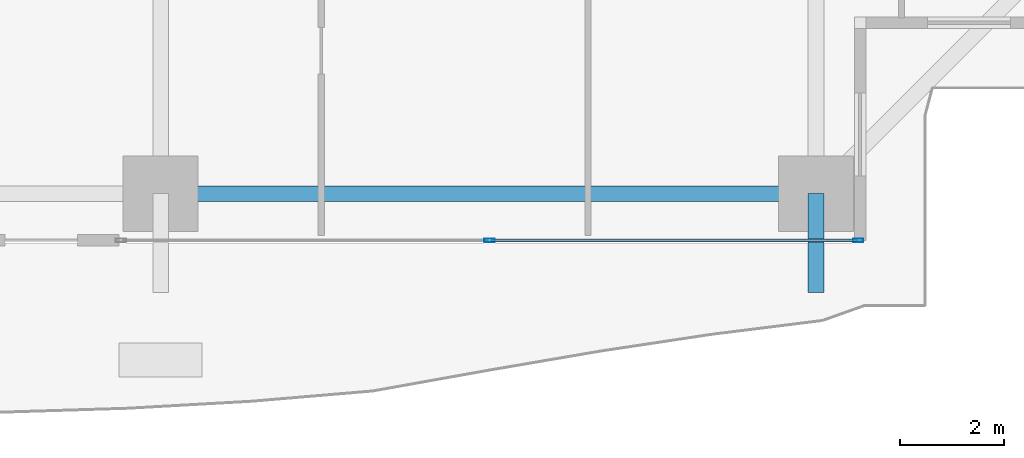
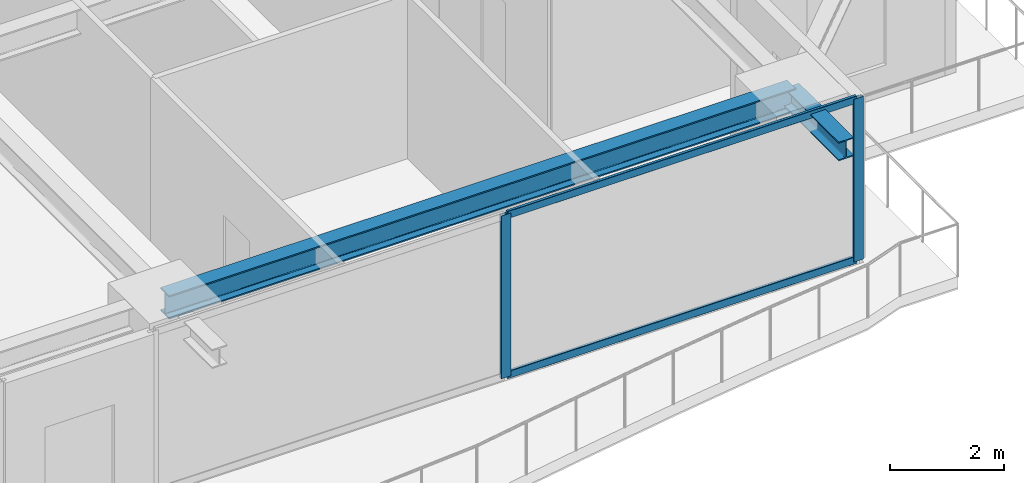
# One storey, part 11 of 39: 4 members, 2 beams, 1 element without a shape of its own.
"""IFC4 building model written with IfcOpenShell, lengths in metres."""

import ifcopenshell
import ifcopenshell.guid

model = None  # the IFC model being written
_history = None  # IfcOwnerHistory: only IFC2X3 demands one
_inside = {}  # id of a spatial element -> (the spatial element, [elements in it])
_under = {}  # id of a project, library or spatial element -> (it, [spatial elements below it])
_declared = {}  # id of a project -> (the project, [libraries it declares])
_typed = {}  # id of a type object -> (the type object, [elements of that type])
_made_of = {}  # id of a material, layer set ... -> (it, [elements and type objects made of it])


def new_model(schema):
    """Start an empty IFC model of exactly this schema.

    Asked for "IFC4X3", IfcOpenShell would pick the latest addendum, in which some entities
    have other attributes; the version numbers below select the first issue.
    IFC2X3 requires an IfcOwnerHistory on every rooted entity: one is made here for all.
    """
    global model, _history
    if schema == "IFC4X3":
        model = ifcopenshell.file(schema_version=(4, 3, 0, 0))
    else:
        model = ifcopenshell.file(schema=schema)
    _inside.clear()
    _under.clear()
    _declared.clear()
    _typed.clear()
    _made_of.clear()
    _history = None
    if model.schema == "IFC2X3":
        org = make("IfcOrganization", Name="unknown")
        user = make(
            "IfcPersonAndOrganization",
            ThePerson=make("IfcPerson", FamilyName="unknown"),
            TheOrganization=org,
        )
        app = make(
            "IfcApplication",
            ApplicationDeveloper=org,
            Version="unknown",
            ApplicationFullName="unknown",
            ApplicationIdentifier="unknown",
        )
        _history = make(
            "IfcOwnerHistory",
            OwningUser=user,
            OwningApplication=app,
            ChangeAction="ADDED",
            CreationDate=0,
        )
    return model


def make(cls, **values):
    """One entity of the class cls with the attributes given. An attribute that is None is left unset."""
    return model.create_entity(
        cls, **{name: value for name, value in values.items() if value is not None}
    )


def rooted(cls, **values):
    """An entity with a GlobalId (a new one), such as an element, a storey or a relation."""
    return make(cls, GlobalId=ifcopenshell.guid.new(), OwnerHistory=_history, **values)


def si_unit(unit_type, name, prefix=None):
    """IfcSIUnit, for example si_unit("LENGTHUNIT", "METRE", prefix="MILLI")."""
    return make("IfcSIUnit", UnitType=unit_type, Prefix=prefix, Name=name)


def assignment(units):
    """IfcUnitAssignment: the units of a project."""
    return None if units is None else make("IfcUnitAssignment", Units=units)


def point(xyz):
    """IfcCartesianPoint."""
    return None if xyz is None else make("IfcCartesianPoint", Coordinates=xyz)


def direction(xyz):
    """IfcDirection."""
    return None if xyz is None else make("IfcDirection", DirectionRatios=xyz)


def frame(location, z_axis=None, x_axis=None):
    """IfcAxis2Placement3D, a coordinate frame: its origin and axes. An axis left out is left unset."""
    return make(
        "IfcAxis2Placement3D",
        Location=point(location),
        Axis=direction(z_axis),
        RefDirection=direction(x_axis),
    )


def frame_2d(location, x_axis=None):
    """IfcAxis2Placement2D, a coordinate frame in the plane: its origin and x axis."""
    return make(
        "IfcAxis2Placement2D", Location=point(location), RefDirection=direction(x_axis)
    )


def origin():
    """The frame at (0, 0, 0) with its axes left unset."""
    return frame((0.0, 0.0, 0.0))


def origin_2d():
    """The frame at (0, 0) in the plane with its x axis left unset."""
    return frame_2d((0.0, 0.0))


def place(relative_to, where):
    """IfcLocalPlacement: puts the frame where relative to a parent placement (None: the world)."""
    return make(
        "IfcLocalPlacement", PlacementRelTo=relative_to, RelativePlacement=where
    )


def context(
    kind, dimensions, precision=None, world=None, true_north=None, identifier=None
):
    """IfcGeometricRepresentationContext, for example the 3D "Model" context."""
    return make(
        "IfcGeometricRepresentationContext",
        ContextIdentifier=identifier,
        ContextType=kind,
        CoordinateSpaceDimension=dimensions,
        Precision=precision,
        WorldCoordinateSystem=world,
        TrueNorth=true_north,
    )


def subcontext(parent, identifier, kind, view, scale=None):
    """IfcGeometricRepresentationSubContext, for example "Body" below "Model"."""
    return make(
        "IfcGeometricRepresentationSubContext",
        ContextIdentifier=identifier,
        ContextType=kind,
        ParentContext=parent,
        TargetScale=scale,
        TargetView=view,
    )


def project(units=None, contexts=None):
    """IfcProject with its units and contexts."""
    return rooted(
        "IfcProject",
        Name="project",
        RepresentationContexts=contexts,
        UnitsInContext=assignment(units),
    )


def spatial(cls, under=None, at=None, **own):
    """A site, building, storey or space (cls), placed at a placement, below another one or the project."""
    s = rooted(cls, ObjectPlacement=at, **own)
    if under is not None:
        _under.setdefault(under.id(), (under, []))[1].append(s)
    return s


def profile(cls, at=None, kind="AREA", **sizes):
    """A parametric profile (cls). Its sizes go by their IFC names, for example OverallWidth=200.0."""
    return make(cls, ProfileType=kind, Position=at, **sizes)


def hollow_rectangle(**sizes):
    """IfcRectangleHollowProfileDef."""
    return profile("IfcRectangleHollowProfileDef", **sizes)


def i_section(**sizes):
    """IfcIShapeProfileDef."""
    return profile("IfcIShapeProfileDef", **sizes)


def extrude(swept, where, along, depth):
    """IfcExtrudedAreaSolid: the profile swept, set in the frame where, extruded along a direction by depth."""
    return make(
        "IfcExtrudedAreaSolid",
        SweptArea=swept,
        Position=where,
        ExtrudedDirection=direction(along),
        Depth=depth,
    )


def shape(context_of_items, identifier, shape_type, items):
    """IfcShapeRepresentation: the items that make up one representation, for example the "Body"."""
    return make(
        "IfcShapeRepresentation",
        ContextOfItems=context_of_items,
        RepresentationIdentifier=identifier,
        RepresentationType=shape_type,
        Items=items,
    )


def source(mapping_origin, context_of_items, identifier, shape_type, items):
    """IfcRepresentationMap: a shape defined once, which mapped items show again and again."""
    return make(
        "IfcRepresentationMap",
        MappingOrigin=mapping_origin,
        MappedRepresentation=shape(context_of_items, identifier, shape_type, items),
    )


def transform(
    local_origin,
    x_axis=None,
    y_axis=None,
    z_axis=None,
    scale=None,
    scale2=None,
    scale3=None,
    uniform=True,
):
    """IfcCartesianTransformationOperator3D, or its non-uniform kind. x_axis, y_axis, z_axis: its Axis1, 2, 3."""
    if uniform:
        return make(
            "IfcCartesianTransformationOperator3D",
            Axis1=direction(x_axis),
            Axis2=direction(y_axis),
            LocalOrigin=point(local_origin),
            Scale=scale,
            Axis3=direction(z_axis),
        )
    return make(
        "IfcCartesianTransformationOperator3DnonUniform",
        Axis1=direction(x_axis),
        Axis2=direction(y_axis),
        LocalOrigin=point(local_origin),
        Scale=scale,
        Axis3=direction(z_axis),
        Scale2=scale2,
        Scale3=scale3,
    )


def mapped(mapping_source, mapping_target):
    """IfcMappedItem: shows the shape of a source again, moved by a transform."""
    return make(
        "IfcMappedItem", MappingSource=mapping_source, MappingTarget=mapping_target
    )


def material(Name=None, Category=None):
    """IfcMaterial."""
    return make("IfcMaterial", Name=Name, Category=Category)


def layer(
    of_material, thickness, ventilated=None, Name=None, Category=None, Priority=None
):
    """IfcMaterialLayer: one layer of a wall or slab, of a material (None: an air gap)."""
    return make(
        "IfcMaterialLayer",
        Material=of_material,
        LayerThickness=thickness,
        IsVentilated=ventilated,
        Name=Name,
        Category=Category,
        Priority=Priority,
    )


def layer_set(layers, Name=None):
    """IfcMaterialLayerSet."""
    return make("IfcMaterialLayerSet", MaterialLayers=layers, LayerSetName=Name)


def material_profile(
    of_material, cross_section, Name=None, Category=None, Priority=None
):
    """IfcMaterialProfile: a cross section and its material."""
    return make(
        "IfcMaterialProfile",
        Name=Name,
        Material=of_material,
        Profile=cross_section,
        Priority=Priority,
        Category=Category,
    )


def profile_set(profiles, Name=None, composite=None):
    """IfcMaterialProfileSet."""
    return make(
        "IfcMaterialProfileSet",
        Name=Name,
        MaterialProfiles=profiles,
        CompositeProfile=composite,
    )


def made_of(thing, what):
    """Note that an element or type object is made of a material, layer set ...; save() writes the relation."""
    if what is not None:
        _made_of.setdefault(what.id(), (what, []))[1].append(thing)
    return thing


def type_object(cls, material=None, **own):
    """A type object (cls), such as IfcWallType, which elements share."""
    return made_of(rooted(cls, **own), material)


def element(
    cls,
    number,
    at=None,
    inside=None,
    cuts=None,
    type_object=None,
    material=None,
    context=None,
    identifier="Body",
    shape_type=None,
    held_by="IfcProductDefinitionShape",
    body=None,
    shapes=None,
    **own,
):
    """One element of the class cls, such as IfcWall. Its Tag is "e" and its number.

    at: its placement. inside: the storey or other place that contains it. cuts: it is an
    opening in that element (IfcRelVoidsElement). A single representation is given by context,
    identifier, shape_type and body (its items); several are given by shapes. held_by: the class
    of the entity that holds the representations. save() writes the other relations.
    """
    e = rooted(cls, Tag="e%d" % number, ObjectPlacement=at, **own)
    if body is not None:
        shapes = [shape(context, identifier, shape_type, body)]
    if shapes is not None:
        e.Representation = make(held_by, Representations=shapes)
    if inside is not None:
        _inside.setdefault(inside.id(), (inside, []))[1].append(e)
    if cuts is not None:
        rooted(
            "IfcRelVoidsElement", RelatingBuildingElement=cuts, RelatedOpeningElement=e
        )
    if type_object is not None:
        _typed.setdefault(type_object.id(), (type_object, []))[1].append(e)
    return made_of(e, material)


def aggregate(whole, parts):
    """IfcRelAggregates: a whole, such as a stair, and the parts it consists of."""
    return rooted("IfcRelAggregates", RelatingObject=whole, RelatedObjects=parts)


def save(model, path):
    """Write the relations noted so far, then the file.

    IfcRelAggregates (storeys below a building ...), IfcRelContainedInSpatialStructure (elements
    in a storey), IfcRelDefinesByType, IfcRelAssociatesMaterial and IfcRelDeclares: one each for
    every whole, place, type object, material and project.
    """
    for whole, parts in _under.values():
        aggregate(whole, parts)
    for where, things in _inside.values():
        rooted(
            "IfcRelContainedInSpatialStructure",
            RelatedElements=things,
            RelatingStructure=where,
        )
    for kind, things in _typed.values():
        rooted("IfcRelDefinesByType", RelatedObjects=things, RelatingType=kind)
    for what, things in _made_of.values():
        rooted("IfcRelAssociatesMaterial", RelatedObjects=things, RelatingMaterial=what)
    for by, libraries in _declared.values():
        rooted("IfcRelDeclares", RelatingContext=by, RelatedDefinitions=libraries)
    model.write(path)


model = new_model("IFC4")

# Units and contexts
model_context = context("Model", 3, precision=1e-05, world=origin(), true_north=direction((0.0, 1.0)))
body_context = subcontext(model_context, "Body", "Model", "MODEL_VIEW")
ifc_project = project(units=[si_unit("LENGTHUNIT", "METRE"), si_unit("AREAUNIT", "SQUARE_METRE"), si_unit("VOLUMEUNIT", "CUBIC_METRE"), si_unit("PLANEANGLEUNIT", "RADIAN"), si_unit("MASSUNIT", "GRAM", prefix="KILO")], contexts=[model_context])

# Site, building, storey
site_placement = place(None, origin())
site = spatial("IfcSite", under=ifc_project, at=site_placement, CompositionType="ELEMENT")
building_placement = place(site_placement, origin())
building = spatial("IfcBuilding", under=site, at=building_placement, Name="Serunith Strait Residences", CompositionType="ELEMENT")
storey_placement = place(building_placement, frame((0.0, 0.0, 49.199951171875)))
storey = spatial("IfcBuildingStorey", under=building, at=storey_placement, Name="L11", CompositionType="ELEMENT", Elevation=49.199951171875)

# Beams
ifc_material_1 = material(Name="Steel S355J2", Category="steel")
ifc_material_profile_1 = material_profile(ifc_material_1, i_section(OverallWidth=0.300048828125, OverallDepth=0.5, WebThickness=0.014404296875, FlangeThickness=0.028076171875, FilletRadius=0.027099609375, at=origin_2d()), Name="HEB 500")
ifc_profile_set_1 = profile_set([ifc_material_profile_1], Name="Steel S355J2")
beam_type_1 = type_object("IfcBeamType", Name="BM-HEB500", PredefinedType="BEAM", material=ifc_profile_set_1)
shared_shape_1 = source(origin(), body_context, "Body", "SweptSolid", [
    extrude(i_section(OverallWidth=0.300048828125, OverallDepth=0.5, WebThickness=0.014404296875, FlangeThickness=0.028076171875, FilletRadius=0.027099609375, at=origin_2d()), origin(), (0.0, 0.0, 1.0), 12.650146484375),
])
beam_1_placement = place(storey_placement, frame((36.89990234375, 1.10009765625, 3.237060546875), z_axis=(1.0, 0.0, 0.0), x_axis=(0.0, 1.0, 0.0)))
element("IfcBeam", 1, at=beam_1_placement, inside=storey, type_object=beam_type_1, Name="L11 Perimeter Ring Beam 03", PredefinedType="BEAM", context=body_context, shape_type="MappedRepresentation", body=[
    mapped(shared_shape_1, transform((0.0, 0.0, 0.0), scale=1.0)),
])
ifc_material_profile_2 = material_profile(ifc_material_1, i_section(OverallWidth=0.300048828125, OverallDepth=0.39990234375, WebThickness=0.013427734375, FlangeThickness=0.02392578125, FilletRadius=0.027099609375, at=origin_2d()), Name="HEB 400")
ifc_profile_set_2 = profile_set([ifc_material_profile_2], Name="Steel S355J2")
beam_type_2 = type_object("IfcBeamType", Name="BM-HEB400", PredefinedType="BEAM", material=ifc_profile_set_2)
shared_shape_2 = source(origin(), body_context, "Body", "SweptSolid", [
    extrude(i_section(OverallWidth=0.300048828125, OverallDepth=0.39990234375, WebThickness=0.013427734375, FlangeThickness=0.02392578125, FilletRadius=0.027099609375, at=origin_2d()), origin(), (0.0, 0.0, 1.0), 1.91015625),
])
beam_2_placement = place(storey_placement, frame((49.550048828125, 1.10009765625, 3.257080078125), z_axis=(0.0, -1.0, 0.0), x_axis=(1.0, 0.0, 0.0)))
element("IfcBeam", 2, at=beam_2_placement, inside=storey, type_object=beam_type_2, Name="L12 Cantilevered Balcony Rib TC-S4", PredefinedType="BEAM", context=body_context, shape_type="MappedRepresentation", body=[
    mapped(shared_shape_2, transform((0.0, 0.0, 0.0), scale=1.0)),
])

# Curtain wall, members
ifc_material_2 = material(Name="Pale-Champagne Anodised Aluminium", Category="aluminium")
ifc_layer = layer(ifc_material_2, 0.199951171875, Name="Pale-Champagne Anodised Aluminium")
ifc_layer_set = layer_set([ifc_layer], Name="Pale-Champagne Anodised Aluminium")
curtain_wall_type = type_object("IfcCurtainWallType", Name="CW-SYS1", PredefinedType="NOTDEFINED", material=ifc_layer_set)
curtain_wall_placement = place(storey_placement, origin())
curtain_wall = element("IfcCurtainWall", 3, at=curtain_wall_placement, inside=storey, type_object=curtain_wall_type, Name="L11 S Unitised Fritted Curtain Wall", PredefinedType="NOTDEFINED")
ifc_material_profile_3 = material_profile(ifc_material_2, hollow_rectangle(XDim=0.070068359375, YDim=0.199951171875, WallThickness=0.00390625, InnerFilletRadius=0.006103515625, OuterFilletRadius=0.010009765625, at=origin_2d()), Name="ALU 200x70x4")
ifc_profile_set_3 = profile_set([ifc_material_profile_3], Name="Pale-Champagne Anodised Aluminium")
member_type_1 = type_object("IfcMemberType", Name="CW-SYS1-MULL", PredefinedType="MULLION", material=ifc_profile_set_3)
shared_shape_3 = source(origin(), body_context, "Body", "SweptSolid", [
    extrude(hollow_rectangle(XDim=0.070068359375, YDim=0.199951171875, WallThickness=0.00390625, InnerFilletRadius=0.006103515625, OuterFilletRadius=0.010009765625, at=origin_2d()), origin(), (0.0, 0.0, 1.0), 3.47509765625),
])
member_1_placement = place(storey_placement, frame((43.25, 0.199951171875, 0.0), z_axis=(0.0, 0.0, 1.0), x_axis=(0.0, 1.0, 0.0)))
member_1 = element("IfcMember", 4, at=member_1_placement, type_object=member_type_1, Name="CW-1 mullion 2", PredefinedType="MULLION", context=body_context, shape_type="MappedRepresentation", body=[
    mapped(shared_shape_3, transform((0.0, 0.0, 0.0), scale=1.0)),
])
member_2_placement = place(storey_placement, frame((50.364990234375, 0.199951171875, 0.0), z_axis=(0.0, 0.0, 1.0), x_axis=(0.0, 1.0, 0.0)))
member_2 = element("IfcMember", 5, at=member_2_placement, type_object=member_type_1, Name="CW-1 mullion 3", PredefinedType="MULLION", context=body_context, shape_type="MappedRepresentation", body=[
    mapped(shared_shape_3, transform((0.0, 0.0, 0.0), scale=1.0)),
])
ifc_material_profile_4 = material_profile(ifc_material_2, hollow_rectangle(XDim=0.06005859375, YDim=0.159912109375, WallThickness=0.00341796875, InnerFilletRadius=0.00537109375, OuterFilletRadius=0.0087890625, at=origin_2d()), Name="ALU 160x60x3.5")
ifc_profile_set_4 = profile_set([ifc_material_profile_4], Name="Pale-Champagne Anodised Aluminium")
member_type_2 = type_object("IfcMemberType", Name="CW-SYS1-TRAN", PredefinedType="USERDEFINED", material=ifc_profile_set_4)
shared_shape_4 = source(origin(), body_context, "Body", "SweptSolid", [
    extrude(hollow_rectangle(XDim=0.06005859375, YDim=0.159912109375, WallThickness=0.00341796875, InnerFilletRadius=0.00537109375, OuterFilletRadius=0.0087890625, at=origin_2d()), origin(), (0.0, 0.0, 1.0), 7.045166015625),
])
member_3_placement = place(storey_placement, frame((43.284912109375, 0.199951171875, 0.030029296875), z_axis=(1.0, 0.0, 0.0), x_axis=(0.0, 1.0, 0.0)))
member_3 = element("IfcMember", 6, at=member_3_placement, type_object=member_type_2, Name="CW-1 transom 2.1", ObjectType="TRANSOM", PredefinedType="USERDEFINED", context=body_context, shape_type="MappedRepresentation", body=[
    mapped(shared_shape_4, transform((0.0, 0.0, 0.0), scale=1.0)),
])
member_4_placement = place(storey_placement, frame((43.284912109375, 0.199951171875, 3.445068359375), z_axis=(1.0, 0.0, 0.0), x_axis=(0.0, 1.0, 0.0)))
member_4 = element("IfcMember", 7, at=member_4_placement, type_object=member_type_2, Name="CW-1 transom 2.2", ObjectType="TRANSOM", PredefinedType="USERDEFINED", context=body_context, shape_type="MappedRepresentation", body=[
    mapped(shared_shape_4, transform((0.0, 0.0, 0.0), scale=1.0)),
])
aggregate(curtain_wall, [member_1, member_2, member_3, member_4])

save(model, "model.ifc")
